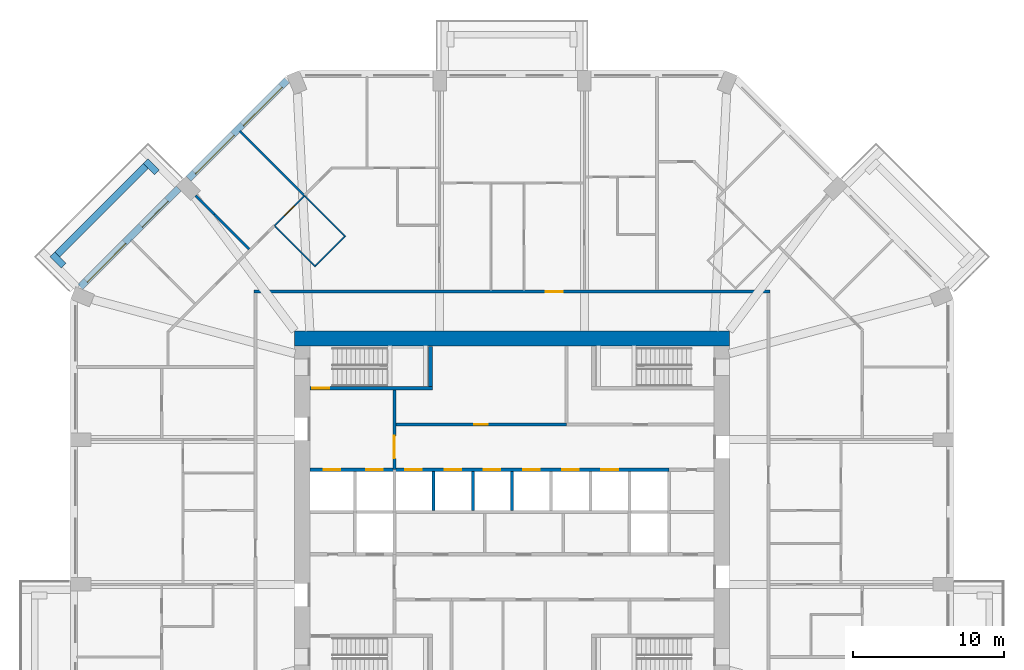
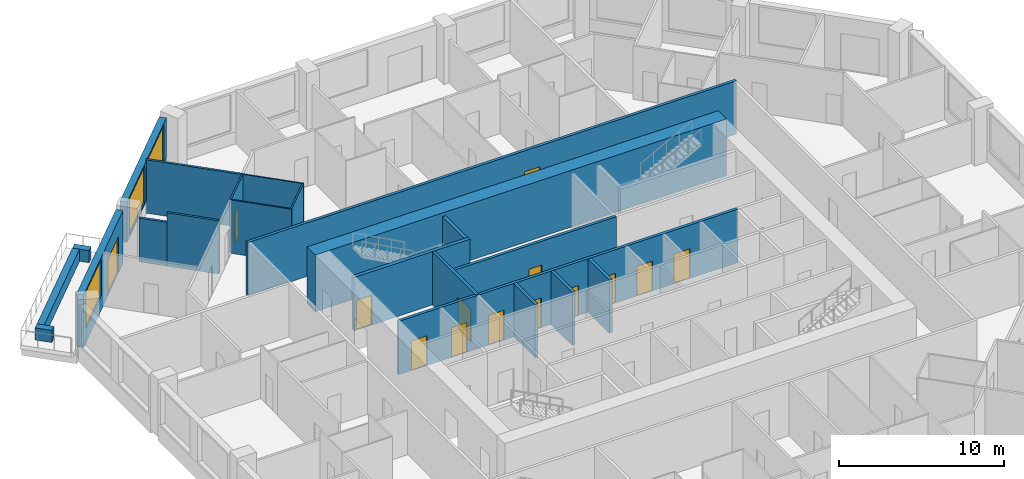
# One storey, part 8 of 13: 22 walls, 14 doors, 3 windows, 17 openings.
"""IFC4 building model written with IfcOpenShell, lengths in metres."""

from ifc_helpers import new_model, si_unit, direction, frame, frame_2d, origin, place, context, subcontext, project, spatial, rectangle, extrude, material, layer, layer_set, type_object, element, fill, save


model = new_model("IFC4")

# Units and contexts
model_context = context("Model", 3, precision=1e-05, world=origin(), true_north=direction((0.0, 1.0)))
body_context = subcontext(model_context, "Body", "Model", "MODEL_VIEW")
ifc_project = project(units=[si_unit("LENGTHUNIT", "METRE"), si_unit("AREAUNIT", "SQUARE_METRE"), si_unit("VOLUMEUNIT", "CUBIC_METRE"), si_unit("PLANEANGLEUNIT", "RADIAN"), si_unit("MASSUNIT", "GRAM", prefix="KILO")], contexts=[model_context])

# Site, building, storey
site_placement = place(None, origin())
site = spatial("IfcSite", under=ifc_project, at=site_placement, CompositionType="ELEMENT")
building_placement = place(site_placement, origin())
building = spatial("IfcBuilding", under=site, at=building_placement, Name="Msitu Wima Residences", CompositionType="ELEMENT")
storey_placement = place(building_placement, frame((0.0, 0.0, 54.89990234375)))
storey = spatial("IfcBuildingStorey", under=building, at=storey_placement, Name="L12", CompositionType="ELEMENT", Elevation=54.89990234375)

# Walls
ifc_material_1 = material(Name="Facing brick")
ifc_layer_1 = layer(ifc_material_1, 0.06494140625, Name="Facing brick")
ifc_material_2 = material(Name="Concrete C40/50", Category="concrete")
ifc_layer_2 = layer(ifc_material_2, 0.156005859375, Name="Concrete C40/50")
ifc_material_3 = material(Name="Waterproofing membrane")
ifc_layer_3 = layer(ifc_material_3, 0.00390625, Name="Waterproofing membrane")
ifc_material_4 = material(Name="Planting soil and planting")
ifc_layer_4 = layer(ifc_material_4, 0.22509765625, Name="Planting soil and planting")
ifc_layer_set_1 = layer_set([ifc_layer_1, ifc_layer_2, ifc_layer_3, ifc_layer_4], Name="Concrete C40/50")
wall_type_1 = type_object("IfcWallType", Name="Balcony planter PLANTER PL450", PredefinedType="USERDEFINED", material=ifc_layer_set_1)
wall_1_placement = place(storey_placement, frame((-24.269287109375, 22.92578125, 0.0), z_axis=(0.0, 0.0, 1.0), x_axis=(-0.707106781187, -0.707106781187, 0.0)))
element("IfcWall", 1, at=wall_1_placement, inside=storey, type_object=wall_type_1, Name="Balcony planter NW1 L12", ObjectType="PLANTER", PredefinedType="USERDEFINED", context=body_context, shape_type="SweptSolid", body=[
    extrude(rectangle(XDim=8.2822265625, YDim=0.449951171875, at=frame_2d((4.14111328125, 0.0))), origin(), (0.0, 0.0, 1.0), 0.900146484375),
])
for number, where, z_axis, x_axis, name in (
    (2, (-23.52685546875, 22.50146484375, 0.0), (0.0, 0.0, 1.0), (-0.706990528533, 0.707223014731, 0.0), "Balcony planter NW1 L12"),
    (3, (-29.70166015625, 16.326904296875, 0.0), (0.0, 0.0, 1.0), (-0.707106781187, 0.707106781187, 0.0), "Balcony planter NW1 L12"),
):
    element("IfcWall", number, at=place(storey_placement, frame(where, z_axis=z_axis, x_axis=x_axis)), inside=storey, type_object=wall_type_1, Name=name, ObjectType="PLANTER", PredefinedType="USERDEFINED", context=body_context, shape_type="SweptSolid", body=[
        extrude(rectangle(XDim=1.050048828125, YDim=0.449951171875, at=frame_2d((0.52490234375, 0.0))), origin(), (0.0, 0.0, 1.0), 0.900146484375),
    ])

# Wall, openings, windows
ifc_material_5 = material(Name="Brick (red buff mix)", Category="masonry")
ifc_layer_5 = layer(ifc_material_5, 0.449951171875)
ifc_layer_set_2 = layer_set([ifc_layer_5], Name="Brick (red buff mix)")
wall_type_2 = type_object("IfcWallType", Name="Brick infill wall BW450", PredefinedType="SOLIDWALL", material=ifc_layer_set_2)
wall_2_placement = place(storey_placement, frame((-14.903564453125, 28.61474609375, 0.900146484375), z_axis=(0.0, 0.0, 1.0), x_axis=(-0.707106781187, -0.707106781187, 0.0)))
wall_2 = element("IfcWall", 4, at=wall_2_placement, inside=storey, type_object=wall_type_2, Name="Brick infill wall L12 NW0", PredefinedType="SOLIDWALL", context=body_context, shape_type="SweptSolid", body=[
    extrude(rectangle(XDim=9.2451171875, YDim=0.449951171875, at=frame_2d((4.62255859375, 0.0))), origin(), (0.0, 0.0, 1.0), 3.0),
])
opening_1_placement = place(wall_2_placement, frame((0.572509765625, 0.0, 0.14990234375)))
opening_1 = element("IfcOpeningElement", 5, at=opening_1_placement, cuts=wall_2, Name="Opening W11-12.014", PredefinedType="OPENING", context=body_context, shape_type="SweptSolid", body=[
    extrude(rectangle(XDim=3.60009765625, YDim=2.699951171875, at=frame_2d((1.800048828125, 1.35009765625))), frame((0.0, 0.23486328125, 0.0), z_axis=(0.0, -1.0, 0.0), x_axis=(1.0, 0.0, 0.0)), (0.0, 0.0, 1.0), 0.469970703125),
])
opening_2_placement = place(wall_2_placement, frame((5.072509765625, 0.0, 0.14990234375)))
opening_2 = element("IfcOpeningElement", 6, at=opening_2_placement, cuts=wall_2, Name="Opening W11-12.015", PredefinedType="OPENING", context=body_context, shape_type="SweptSolid", body=[
    extrude(rectangle(XDim=3.60009765625, YDim=2.699951171875, at=frame_2d((1.800048828125, 1.35009765625))), frame((0.0, 0.23486328125, 0.0), z_axis=(0.0, -1.0, 0.0), x_axis=(1.0, 0.0, 0.0)), (0.0, 0.0, 1.0), 0.469970703125),
])
ifc_material_6 = material(Name="Anodised aluminium, bronze finish, clear low-emissivity double glazing", Category="aluminium")
window_type = type_object("IfcWindowType", Name="Window W3600x2700", PartitioningType="DOUBLE_PANEL_VERTICAL", PredefinedType="WINDOW", material=ifc_material_6)
window_1_placement = place(opening_1_placement, origin())
window_1 = element("IfcWindow", 7, at=window_1_placement, inside=storey, type_object=window_type, Name="Window L12 NW0.1", OverallHeight=2.699951171875, OverallWidth=3.60009765625, PartitioningType="SINGLE_PANEL", PredefinedType="WINDOW", context=body_context, shape_type="SweptSolid", body=[
    extrude(rectangle(XDim=3.60009765625, YDim=2.699951171875, at=frame_2d((1.800048828125, 1.35009765625))), frame((0.0, 0.135009765625, 0.0), z_axis=(0.0, -1.0, 0.0), x_axis=(1.0, 0.0, 0.0)), (0.0, 0.0, 1.0), 0.06005859375),
])
fill(opening_1, window_1)
window_2_placement = place(opening_2_placement, origin())
window_2 = element("IfcWindow", 8, at=window_2_placement, inside=storey, type_object=window_type, Name="Window L12 NW0.2", OverallHeight=2.699951171875, OverallWidth=3.60009765625, PartitioningType="SINGLE_PANEL", PredefinedType="WINDOW", context=body_context, shape_type="SweptSolid", body=[
    extrude(rectangle(XDim=3.60009765625, YDim=2.699951171875, at=frame_2d((1.800048828125, 1.35009765625))), frame((0.0, 0.135009765625, 0.0), z_axis=(0.0, -1.0, 0.0), x_axis=(1.0, 0.0, 0.0)), (0.0, 0.0, 1.0), 0.06005859375),
])
fill(opening_2, window_2)

# Wall, openings, door, window
wall_3_placement = place(storey_placement, frame((-22.077392578125, 21.44091796875, 0.0), z_axis=(0.0, 0.0, 1.0), x_axis=(-0.707106781187, -0.707106781187, 0.0)))
wall_3 = element("IfcWall", 9, at=wall_3_placement, inside=storey, type_object=wall_type_2, Name="Brick infill wall L12 NW1", PredefinedType="SOLIDWALL", context=body_context, shape_type="SweptSolid", body=[
    extrude(rectangle(XDim=9.2451171875, YDim=0.449951171875, at=frame_2d((4.62255859375, 0.0))), origin(), (0.0, 0.0, 1.0), 3.900146484375),
])
opening_3_placement = place(wall_3_placement, frame((1.111328125, 0.0, 0.0)))
opening_3 = element("IfcOpeningElement", 10, at=opening_3_placement, cuts=wall_3, Name="Opening D11-12.004", PredefinedType="OPENING", context=body_context, shape_type="SweptSolid", body=[
    extrude(rectangle(XDim=2.39990234375, YDim=2.699951171875, at=frame_2d((1.199951171875, 1.35009765625))), frame((0.0, 0.23486328125, 0.0), z_axis=(0.0, -1.0, 0.0), x_axis=(1.0, 0.0, 0.0)), (0.0, 0.0, 1.0), 0.469970703125),
])
opening_4_placement = place(wall_3_placement, frame((5.072509765625, 0.0, 1.050048828125)))
opening_4 = element("IfcOpeningElement", 11, at=opening_4_placement, cuts=wall_3, Name="Opening W11-12.016", PredefinedType="OPENING", context=body_context, shape_type="SweptSolid", body=[
    extrude(rectangle(XDim=3.60009765625, YDim=2.699951171875, at=frame_2d((1.800048828125, 1.35009765625))), frame((0.0, 0.23486328125, 0.0), z_axis=(0.0, -1.0, 0.0), x_axis=(1.0, 0.0, 0.0)), (0.0, 0.0, 1.0), 0.469970703125),
])
door_type_1 = type_object("IfcDoorType", Name="Balcony door D2400x2700", OperationType="SLIDING_TO_LEFT", PredefinedType="DOOR", material=ifc_material_6)
door_1_placement = place(opening_3_placement, origin())
door_1 = element("IfcDoor", 12, at=door_1_placement, inside=storey, type_object=door_type_1, Name="Balcony door L12 NW1", OperationType="SINGLE_SWING_LEFT", OverallHeight=2.699951171875, OverallWidth=2.39990234375, PredefinedType="DOOR", context=body_context, shape_type="SweptSolid", body=[
    extrude(rectangle(XDim=2.39990234375, YDim=2.699951171875, at=frame_2d((1.199951171875, 1.35009765625))), frame((0.0, 0.1298828125, 0.0), z_axis=(0.0, -1.0, 0.0), x_axis=(1.0, 0.0, 0.0)), (0.0, 0.0, 1.0), 0.050048828125),
])
fill(opening_3, door_1)
window_3_placement = place(opening_4_placement, origin())
window_3 = element("IfcWindow", 13, at=window_3_placement, inside=storey, type_object=window_type, Name="Window L12 NW1.2", OverallHeight=2.699951171875, OverallWidth=3.60009765625, PartitioningType="SINGLE_PANEL", PredefinedType="WINDOW", context=body_context, shape_type="SweptSolid", body=[
    extrude(rectangle(XDim=3.60009765625, YDim=2.699951171875, at=frame_2d((1.800048828125, 1.35009765625))), frame((0.0, 0.135009765625, 0.0), z_axis=(0.0, -1.0, 0.0), x_axis=(1.0, 0.0, 0.0)), (0.0, 0.0, 1.0), 0.06005859375),
])
fill(opening_4, window_3)

# Wall
ifc_material_7 = material(Name="Concrete C80/95", Category="concrete")
ifc_layer_6 = layer(ifc_material_7, 1.0)
ifc_layer_set_3 = layer_set([ifc_layer_6], Name="Concrete C80/95")
wall_type_3 = type_object("IfcWallType", Name="Core wall CW1000 C80/95", PredefinedType="SHEAR", material=ifc_layer_set_3)
wall_4_placement = place(storey_placement, frame((-14.39990234375, 11.5, 0.0), z_axis=(0.0, 0.0, 1.0), x_axis=(1.0, 0.0, 0.0)))
element("IfcWall", 14, at=wall_4_placement, inside=storey, type_object=wall_type_3, Name="Core wall", PredefinedType="SHEAR", context=body_context, shape_type="SweptSolid", body=[
    extrude(rectangle(XDim=28.7998046875, YDim=1.0, at=frame_2d((14.39990234375, 0.0))), origin(), (0.0, 0.0, 1.0), 4.2001953125),
])

# Wall, opening, door
ifc_material_8 = material(Name="Plaster")
ifc_layer_7 = layer(ifc_material_8, 0.011962890625, Name="Plaster")
ifc_material_9 = material(Name="Concrete blockwork", Category="masonry")
ifc_layer_8 = layer(ifc_material_9, 0.176025390625, Name="Concrete blockwork")
ifc_layer_9 = layer(ifc_material_8, 0.011962890625, Name="Plaster")
ifc_layer_set_4 = layer_set([ifc_layer_7, ifc_layer_8, ifc_layer_9], Name="Concrete blockwork")
wall_type_4 = type_object("IfcWallType", Name="Corridor wall FW200", PredefinedType="PARTITIONING", material=ifc_layer_set_4)
wall_5_placement = place(storey_placement, frame((-17.10009765625, 14.60009765625, 0.0), z_axis=(0.0, 0.0, 1.0), x_axis=(1.0, 0.0, 0.0)))
wall_5 = element("IfcWall", 15, at=wall_5_placement, inside=storey, type_object=wall_type_4, Name="Corridor wall", PredefinedType="PARTITIONING", context=body_context, shape_type="SweptSolid", body=[
    extrude(rectangle(XDim=34.2001953125, YDim=0.199951171875, at=frame_2d((17.10009765625, 0.0))), origin(), (0.0, 0.0, 1.0), 3.9501953125),
])
opening_5_placement = place(wall_5_placement, frame((19.35009765625, 0.0, 0.0)))
opening_5 = element("IfcOpeningElement", 16, at=opening_5_placement, cuts=wall_5, Name="Opening D11-12.009", PredefinedType="OPENING", context=body_context, shape_type="SweptSolid", body=[
    extrude(rectangle(XDim=1.10009765625, YDim=2.39990234375, at=frame_2d((0.550048828125, 1.199951171875))), frame((0.0, 0.10986328125, 0.0), z_axis=(0.0, -1.0, 0.0), x_axis=(1.0, 0.0, 0.0)), (0.0, 0.0, 1.0), 0.219970703125),
])
ifc_material_10 = material(Name="Timber flush door, fire resisting, self-closing", Category="wood")
door_type_2 = type_object("IfcDoorType", Name="Flat entrance door D01 1100x2400", OperationType="SINGLE_SWING_LEFT", PredefinedType="DOOR", material=ifc_material_10)
door_2_placement = place(opening_5_placement, origin())
door_2 = element("IfcDoor", 17, at=door_2_placement, inside=storey, type_object=door_type_2, Name="Flat entrance door", OperationType="SINGLE_SWING_RIGHT", OverallHeight=2.39990234375, OverallWidth=1.10009765625, PredefinedType="DOOR", context=body_context, shape_type="SweptSolid", body=[
    extrude(rectangle(XDim=1.10009765625, YDim=2.39990234375, at=frame_2d((0.550048828125, 1.199951171875))), frame((0.0, 0.02490234375, 0.0), z_axis=(0.0, -1.0, 0.0), x_axis=(1.0, 0.0, 0.0)), (0.0, 0.0, 1.0), 0.050048828125),
])
fill(opening_5, door_2)

wall_6_placement = place(storey_placement, frame((-7.800048828125, 2.800048828125, 0.0), z_axis=(0.0, 0.0, 1.0), x_axis=(0.0, 1.0, 0.0)))
wall_6 = element("IfcWall", 18, at=wall_6_placement, inside=storey, type_object=wall_type_4, Name="Corridor wall", PredefinedType="PARTITIONING", context=body_context, shape_type="SweptSolid", body=[
    extrude(rectangle(XDim=5.27490234375, YDim=0.199951171875, at=frame_2d((2.637451171875, 0.0))), origin(), (0.0, 0.0, 1.0), 3.9501953125),
])
opening_6_placement = place(wall_6_placement, frame((0.75, 0.0, 0.0)))
opening_6 = element("IfcOpeningElement", 19, at=opening_6_placement, cuts=wall_6, Name="Opening D11-12.014", PredefinedType="OPENING", context=body_context, shape_type="SweptSolid", body=[
    extrude(rectangle(XDim=1.5, YDim=2.39990234375, at=frame_2d((0.75, 1.199951171875))), frame((0.0, 0.10986328125, 0.0), z_axis=(0.0, -1.0, 0.0), x_axis=(1.0, 0.0, 0.0)), (0.0, 0.0, 1.0), 0.219970703125),
])
ifc_material_11 = material(Name="Steel framed glazed door, fire resisting", Category="steel")
door_type_3 = type_object("IfcDoorType", Name="Lobby door D07 1500x2400", OperationType="DOUBLE_DOOR_SINGLE_SWING", PredefinedType="DOOR", material=ifc_material_11)
door_3_placement = place(opening_6_placement, origin())
door_3 = element("IfcDoor", 20, at=door_3_placement, inside=storey, type_object=door_type_3, Name="Lobby door", OperationType="DOUBLE_DOOR_SINGLE_SWING", OverallHeight=2.39990234375, OverallWidth=1.5, PredefinedType="DOOR", context=body_context, shape_type="SweptSolid", body=[
    extrude(rectangle(XDim=1.5, YDim=2.39990234375, at=frame_2d((0.75, 1.199951171875))), frame((0.0, 0.02490234375, 0.0), z_axis=(0.0, -1.0, 0.0), x_axis=(1.0, 0.0, 0.0)), (0.0, 0.0, 1.0), 0.050048828125),
])
fill(opening_6, door_3)

wall_7_placement = place(storey_placement, frame((-7.699951171875, 5.800048828125, 0.0), z_axis=(0.0, 0.0, 1.0), x_axis=(1.0, 0.0, 0.0)))
wall_7 = element("IfcWall", 21, at=wall_7_placement, inside=storey, type_object=wall_type_4, Name="Corridor wall", PredefinedType="PARTITIONING", context=body_context, shape_type="SweptSolid", body=[
    extrude(rectangle(XDim=11.320068359375, YDim=0.199951171875, at=frame_2d((5.66015625, 0.0))), origin(), (0.0, 0.0, 1.0), 3.9501953125),
])
opening_7_placement = place(wall_7_placement, frame((5.199951171875, 0.0, 0.0)))
opening_7 = element("IfcOpeningElement", 22, at=opening_7_placement, cuts=wall_7, Name="Opening D11-12.017", PredefinedType="OPENING", context=body_context, shape_type="SweptSolid", body=[
    extrude(rectangle(XDim=0.89990234375, YDim=2.199951171875, at=frame_2d((0.449951171875, 1.10009765625))), frame((0.0, 0.10986328125, 0.0), z_axis=(0.0, -1.0, 0.0), x_axis=(1.0, 0.0, 0.0)), (0.0, 0.0, 1.0), 0.219970703125),
])
ifc_material_12 = material(Name="Timber flush door", Category="wood")
door_type_4 = type_object("IfcDoorType", Name="Service door D05 900x2200", OperationType="SINGLE_SWING_LEFT", PredefinedType="DOOR", material=ifc_material_12)
door_4_placement = place(opening_7_placement, origin())
door_4 = element("IfcDoor", 23, at=door_4_placement, inside=storey, type_object=door_type_4, Name="Service door", OperationType="SINGLE_SWING_LEFT", OverallHeight=2.199951171875, OverallWidth=0.89990234375, PredefinedType="DOOR", context=body_context, shape_type="SweptSolid", body=[
    extrude(rectangle(XDim=0.89990234375, YDim=2.199951171875, at=frame_2d((0.449951171875, 1.10009765625))), frame((0.0, 0.02490234375, 0.0), z_axis=(0.0, -1.0, 0.0), x_axis=(1.0, 0.0, 0.0)), (0.0, 0.0, 1.0), 0.050048828125),
])
fill(opening_7, door_4)

# Walls
ifc_layer_10 = layer(ifc_material_8, 0.011962890625, Name="Plaster")
ifc_layer_11 = layer(ifc_material_9, 0.1259765625, Name="Concrete blockwork")
ifc_layer_12 = layer(ifc_material_8, 0.011962890625, Name="Plaster")
ifc_layer_set_5 = layer_set([ifc_layer_10, ifc_layer_11, ifc_layer_12], Name="Concrete blockwork")
wall_type_5 = type_object("IfcWallType", Name="Partition PW150", PredefinedType="PARTITIONING", material=ifc_layer_set_5)
wall_8_placement = place(storey_placement, frame((-20.963623046875, 20.963623046875, 0.0), z_axis=(0.0, 0.0, 1.0), x_axis=(0.707106781187, -0.707106781187, 0.0)))
element("IfcWall", 24, at=wall_8_placement, inside=storey, type_object=wall_type_5, Name="Partition", PredefinedType="PARTITIONING", context=body_context, shape_type="SweptSolid", body=[
    extrude(rectangle(XDim=1.74853515625, YDim=0.14990234375, at=frame_2d((0.874267578125, 0.0))), origin(), (0.0, 0.0, 1.0), 3.25),
])
wall_9_placement = place(storey_placement, frame((-19.727294921875, 19.727294921875, 0.0), z_axis=(0.0, 0.0, 1.0), x_axis=(0.707106781187, -0.707106781187, 0.0)))
element("IfcWall", 25, at=wall_9_placement, inside=storey, type_object=wall_type_5, Name="Partition", PredefinedType="PARTITIONING", context=body_context, shape_type="SweptSolid", body=[
    extrude(rectangle(XDim=3.276611328125, YDim=0.14990234375, at=frame_2d((1.63818359375, 0.0))), origin(), (0.0, 0.0, 1.0), 3.9501953125),
])
wall_10_placement = place(storey_placement, frame((-18.038818359375, 25.23876953125, 0.0), z_axis=(0.0, 0.0, 1.0), x_axis=(0.707106781187, -0.707106781187, 0.0)))
element("IfcWall", 26, at=wall_10_placement, inside=storey, type_object=wall_type_5, Name="Partition", PredefinedType="PARTITIONING", context=body_context, shape_type="SweptSolid", body=[
    extrude(rectangle(XDim=6.074951171875, YDim=0.14990234375, at=frame_2d((3.03759765625, 0.0))), origin(), (0.0, 0.0, 1.0), 3.9501953125),
])

# Wall, openings, doors
ifc_material_13 = material(Name="Fire-rated board")
ifc_layer_13 = layer(ifc_material_13, 0.02490234375, Name="Fire-rated board")
ifc_material_14 = material(Name="Light-gauge stud framing with mineral wool")
ifc_layer_14 = layer(ifc_material_14, 0.14990234375, Name="Light-gauge stud framing with mineral wool")
ifc_layer_15 = layer(ifc_material_13, 0.02490234375, Name="Fire-rated board")
ifc_layer_set_6 = layer_set([ifc_layer_13, ifc_layer_14, ifc_layer_15], Name="Light-gauge stud framing with mineral wool")
wall_type_6 = type_object("IfcWallType", Name="Shaft wall SH200", PredefinedType="PARTITIONING", material=ifc_layer_set_6)
wall_11_placement = place(storey_placement, frame((-13.3701171875, 2.800048828125, 0.0), z_axis=(0.0, 0.0, 1.0), x_axis=(1.0, 0.0, 0.0)))
wall_11 = element("IfcWall", 27, at=wall_11_placement, inside=storey, type_object=wall_type_6, Name="Shaft wall", PredefinedType="PARTITIONING", context=body_context, shape_type="SweptSolid", body=[
    extrude(rectangle(XDim=23.77001953125, YDim=0.199951171875, at=frame_2d((11.885009765625, 0.0))), origin(), (0.0, 0.0, 1.0), 3.9501953125),
])
opening_8_placement = place(wall_11_placement, frame((0.89990234375, 0.0, 0.0)))
opening_8 = element("IfcOpeningElement", 28, at=opening_8_placement, cuts=wall_11, Name="Opening LD", PredefinedType="OPENING", context=body_context, shape_type="SweptSolid", body=[
    extrude(rectangle(XDim=1.10009765625, YDim=2.199951171875, at=frame_2d((0.550048828125, 1.10009765625))), frame((0.0, 0.10986328125, 0.0), z_axis=(0.0, -1.0, 0.0), x_axis=(1.0, 0.0, 0.0)), (0.0, 0.0, 1.0), 0.219970703125),
])
opening_9_placement = place(wall_11_placement, frame((3.699951171875, 0.0, 0.0)))
opening_9 = element("IfcOpeningElement", 29, at=opening_9_placement, cuts=wall_11, Name="Opening LD", PredefinedType="OPENING", context=body_context, shape_type="SweptSolid", body=[
    extrude(rectangle(XDim=1.10009765625, YDim=2.199951171875, at=frame_2d((0.550048828125, 1.10009765625))), frame((0.0, 0.10986328125, 0.0), z_axis=(0.0, -1.0, 0.0), x_axis=(1.0, 0.0, 0.0)), (0.0, 0.0, 1.0), 0.219970703125),
])
opening_10_placement = place(wall_11_placement, frame((6.300048828125, 0.0, 0.0)))
opening_10 = element("IfcOpeningElement", 30, at=opening_10_placement, cuts=wall_11, Name="Opening LD", PredefinedType="OPENING", context=body_context, shape_type="SweptSolid", body=[
    extrude(rectangle(XDim=1.10009765625, YDim=2.199951171875, at=frame_2d((0.550048828125, 1.10009765625))), frame((0.0, 0.10986328125, 0.0), z_axis=(0.0, -1.0, 0.0), x_axis=(1.0, 0.0, 0.0)), (0.0, 0.0, 1.0), 0.219970703125),
])
opening_11_placement = place(wall_11_placement, frame((8.89990234375, 0.0, 0.0)))
opening_11 = element("IfcOpeningElement", 31, at=opening_11_placement, cuts=wall_11, Name="Opening LD", PredefinedType="OPENING", context=body_context, shape_type="SweptSolid", body=[
    extrude(rectangle(XDim=1.10009765625, YDim=2.199951171875, at=frame_2d((0.550048828125, 1.10009765625))), frame((0.0, 0.10986328125, 0.0), z_axis=(0.0, -1.0, 0.0), x_axis=(1.0, 0.0, 0.0)), (0.0, 0.0, 1.0), 0.219970703125),
])
opening_12_placement = place(wall_11_placement, frame((11.5, 0.0, 0.0)))
opening_12 = element("IfcOpeningElement", 32, at=opening_12_placement, cuts=wall_11, Name="Opening LD", PredefinedType="OPENING", context=body_context, shape_type="SweptSolid", body=[
    extrude(rectangle(XDim=1.10009765625, YDim=2.199951171875, at=frame_2d((0.550048828125, 1.10009765625))), frame((0.0, 0.10986328125, 0.0), z_axis=(0.0, -1.0, 0.0), x_axis=(1.0, 0.0, 0.0)), (0.0, 0.0, 1.0), 0.219970703125),
])
opening_13_placement = place(wall_11_placement, frame((14.10009765625, 0.0, 0.0)))
opening_13 = element("IfcOpeningElement", 33, at=opening_13_placement, cuts=wall_11, Name="Opening LD", PredefinedType="OPENING", context=body_context, shape_type="SweptSolid", body=[
    extrude(rectangle(XDim=1.10009765625, YDim=2.199951171875, at=frame_2d((0.550048828125, 1.10009765625))), frame((0.0, 0.10986328125, 0.0), z_axis=(0.0, -1.0, 0.0), x_axis=(1.0, 0.0, 0.0)), (0.0, 0.0, 1.0), 0.219970703125),
])
opening_14_placement = place(wall_11_placement, frame((16.699951171875, 0.0, 0.0)))
opening_14 = element("IfcOpeningElement", 34, at=opening_14_placement, cuts=wall_11, Name="Opening LD", PredefinedType="OPENING", context=body_context, shape_type="SweptSolid", body=[
    extrude(rectangle(XDim=1.10009765625, YDim=2.199951171875, at=frame_2d((0.550048828125, 1.10009765625))), frame((0.0, 0.10986328125, 0.0), z_axis=(0.0, -1.0, 0.0), x_axis=(1.0, 0.0, 0.0)), (0.0, 0.0, 1.0), 0.219970703125),
])
opening_15_placement = place(wall_11_placement, frame((19.300048828125, 0.0, 0.0)))
opening_15 = element("IfcOpeningElement", 35, at=opening_15_placement, cuts=wall_11, Name="Opening LD", PredefinedType="OPENING", context=body_context, shape_type="SweptSolid", body=[
    extrude(rectangle(XDim=1.10009765625, YDim=2.199951171875, at=frame_2d((0.550048828125, 1.10009765625))), frame((0.0, 0.10986328125, 0.0), z_axis=(0.0, -1.0, 0.0), x_axis=(1.0, 0.0, 0.0)), (0.0, 0.0, 1.0), 0.219970703125),
])
ifc_material_15 = material(Name="Stainless steel centre-opening landing door, rated", Category="steel")
door_type_5 = type_object("IfcDoorType", Name="Lift landing door LD 1100x2200", OperationType="DOUBLE_DOOR_SLIDING", PredefinedType="DOOR", material=ifc_material_15)
door_5_placement = place(opening_8_placement, origin())
door_5 = element("IfcDoor", 36, at=door_5_placement, inside=storey, type_object=door_type_5, Name="Lift landing door LD1", OperationType="DOUBLE_DOOR_SLIDING", OverallHeight=2.199951171875, OverallWidth=1.10009765625, PredefinedType="DOOR", context=body_context, shape_type="SweptSolid", body=[
    extrude(rectangle(XDim=1.10009765625, YDim=2.199951171875, at=frame_2d((0.550048828125, 1.10009765625))), frame((0.0, 0.02490234375, 0.0), z_axis=(0.0, -1.0, 0.0), x_axis=(1.0, 0.0, 0.0)), (0.0, 0.0, 1.0), 0.050048828125),
])
fill(opening_8, door_5)
door_6_placement = place(opening_9_placement, origin())
door_6 = element("IfcDoor", 37, at=door_6_placement, inside=storey, type_object=door_type_5, Name="Lift landing door LD2", OperationType="DOUBLE_DOOR_SLIDING", OverallHeight=2.199951171875, OverallWidth=1.10009765625, PredefinedType="DOOR", context=body_context, shape_type="SweptSolid", body=[
    extrude(rectangle(XDim=1.10009765625, YDim=2.199951171875, at=frame_2d((0.550048828125, 1.10009765625))), frame((0.0, 0.02490234375, 0.0), z_axis=(0.0, -1.0, 0.0), x_axis=(1.0, 0.0, 0.0)), (0.0, 0.0, 1.0), 0.050048828125),
])
fill(opening_9, door_6)
door_7_placement = place(opening_10_placement, origin())
door_7 = element("IfcDoor", 38, at=door_7_placement, inside=storey, type_object=door_type_5, Name="Lift landing door LD4", OperationType="DOUBLE_DOOR_SLIDING", OverallHeight=2.199951171875, OverallWidth=1.10009765625, PredefinedType="DOOR", context=body_context, shape_type="SweptSolid", body=[
    extrude(rectangle(XDim=1.10009765625, YDim=2.199951171875, at=frame_2d((0.550048828125, 1.10009765625))), frame((0.0, 0.02490234375, 0.0), z_axis=(0.0, -1.0, 0.0), x_axis=(1.0, 0.0, 0.0)), (0.0, 0.0, 1.0), 0.050048828125),
])
fill(opening_10, door_7)
door_8_placement = place(opening_11_placement, origin())
door_8 = element("IfcDoor", 39, at=door_8_placement, inside=storey, type_object=door_type_5, Name="Lift landing door LD6", OperationType="DOUBLE_DOOR_SLIDING", OverallHeight=2.199951171875, OverallWidth=1.10009765625, PredefinedType="DOOR", context=body_context, shape_type="SweptSolid", body=[
    extrude(rectangle(XDim=1.10009765625, YDim=2.199951171875, at=frame_2d((0.550048828125, 1.10009765625))), frame((0.0, 0.02490234375, 0.0), z_axis=(0.0, -1.0, 0.0), x_axis=(1.0, 0.0, 0.0)), (0.0, 0.0, 1.0), 0.050048828125),
])
fill(opening_11, door_8)
door_9_placement = place(opening_12_placement, origin())
door_9 = element("IfcDoor", 40, at=door_9_placement, inside=storey, type_object=door_type_5, Name="Lift landing door LD8", OperationType="DOUBLE_DOOR_SLIDING", OverallHeight=2.199951171875, OverallWidth=1.10009765625, PredefinedType="DOOR", context=body_context, shape_type="SweptSolid", body=[
    extrude(rectangle(XDim=1.10009765625, YDim=2.199951171875, at=frame_2d((0.550048828125, 1.10009765625))), frame((0.0, 0.02490234375, 0.0), z_axis=(0.0, -1.0, 0.0), x_axis=(1.0, 0.0, 0.0)), (0.0, 0.0, 1.0), 0.050048828125),
])
fill(opening_12, door_9)
door_10_placement = place(opening_13_placement, origin())
door_10 = element("IfcDoor", 41, at=door_10_placement, inside=storey, type_object=door_type_5, Name="Lift landing door LD10", OperationType="DOUBLE_DOOR_SLIDING", OverallHeight=2.199951171875, OverallWidth=1.10009765625, PredefinedType="DOOR", context=body_context, shape_type="SweptSolid", body=[
    extrude(rectangle(XDim=1.10009765625, YDim=2.199951171875, at=frame_2d((0.550048828125, 1.10009765625))), frame((0.0, 0.02490234375, 0.0), z_axis=(0.0, -1.0, 0.0), x_axis=(1.0, 0.0, 0.0)), (0.0, 0.0, 1.0), 0.050048828125),
])
fill(opening_13, door_10)
door_11_placement = place(opening_14_placement, origin())
door_11 = element("IfcDoor", 42, at=door_11_placement, inside=storey, type_object=door_type_5, Name="Lift landing door LD12", OperationType="DOUBLE_DOOR_SLIDING", OverallHeight=2.199951171875, OverallWidth=1.10009765625, PredefinedType="DOOR", context=body_context, shape_type="SweptSolid", body=[
    extrude(rectangle(XDim=1.10009765625, YDim=2.199951171875, at=frame_2d((0.550048828125, 1.10009765625))), frame((0.0, 0.02490234375, 0.0), z_axis=(0.0, -1.0, 0.0), x_axis=(1.0, 0.0, 0.0)), (0.0, 0.0, 1.0), 0.050048828125),
])
fill(opening_14, door_11)
door_12_placement = place(opening_15_placement, origin())
door_12 = element("IfcDoor", 43, at=door_12_placement, inside=storey, type_object=door_type_5, Name="Lift landing door LD14", OperationType="DOUBLE_DOOR_SLIDING", OverallHeight=2.199951171875, OverallWidth=1.10009765625, PredefinedType="DOOR", context=body_context, shape_type="SweptSolid", body=[
    extrude(rectangle(XDim=1.10009765625, YDim=2.199951171875, at=frame_2d((0.550048828125, 1.10009765625))), frame((0.0, 0.02490234375, 0.0), z_axis=(0.0, -1.0, 0.0), x_axis=(1.0, 0.0, 0.0)), (0.0, 0.0, 1.0), 0.050048828125),
])
fill(opening_15, door_12)

# Walls
for number, where, z_axis, x_axis, name in (
    (44, (-5.199951171875, 0.10009765625, 0.0), (0.0, 0.0, 1.0), (0.0, 1.0, 0.0), "Shaft wall"),
    (45, (-2.60009765625, 0.10009765625, 0.0), (0.0, 0.0, 1.0), (0.0, 1.0, 0.0), "Shaft wall"),
    (46, (0.0, 0.10009765625, 0.0), (0.0, 0.0, 1.0), (0.0, 1.0, 0.0), "Shaft wall"),
):
    element("IfcWall", number, at=place(storey_placement, frame(where, z_axis=z_axis, x_axis=x_axis)), inside=storey, type_object=wall_type_6, Name=name, PredefinedType="PARTITIONING", context=body_context, shape_type="SweptSolid", body=[
        extrude(rectangle(XDim=2.599853515625, YDim=0.199951171875, at=frame_2d((1.2998046875, 0.0))), origin(), (0.0, 0.0, 1.0), 3.9501953125),
    ])

# Wall, opening, door
ifc_material_16 = material(Name="Concrete C50/60", Category="concrete")
ifc_layer_16 = layer(ifc_material_16, 0.25)
ifc_layer_set_7 = layer_set([ifc_layer_16], Name="Concrete C50/60")
wall_type_7 = type_object("IfcWallType", Name="Stair enclosure wall SW250", PredefinedType="SHEAR", material=ifc_layer_set_7)
wall_12_placement = place(storey_placement, frame((-13.3701171875, 8.199951171875, 0.0), z_axis=(0.0, 0.0, 1.0), x_axis=(1.0, 0.0, 0.0)))
wall_12 = element("IfcWall", 47, at=wall_12_placement, inside=storey, type_object=wall_type_7, Name="Stair enclosure wall", PredefinedType="SHEAR", context=body_context, shape_type="SweptSolid", body=[
    extrude(rectangle(XDim=8.09521484375, YDim=0.25, at=frame_2d((4.047607421875, 0.0))), origin(), (0.0, 0.0, 1.0), 3.9501953125),
])
opening_16_placement = place(wall_12_placement, frame((0.14990234375, 0.0, 0.0)))
opening_16 = element("IfcOpeningElement", 48, at=opening_16_placement, cuts=wall_12, Name="Opening D11-12.032", PredefinedType="OPENING", context=body_context, shape_type="SweptSolid", body=[
    extrude(rectangle(XDim=1.10009765625, YDim=2.199951171875, at=frame_2d((0.550048828125, 1.10009765625))), frame((0.0, 0.135009765625, 0.0), z_axis=(0.0, -1.0, 0.0), x_axis=(1.0, 0.0, 0.0)), (0.0, 0.0, 1.0), 0.27001953125),
])
ifc_material_17 = material(Name="Steel door, fire resisting, panic bar", Category="steel")
door_type_6 = type_object("IfcDoorType", Name="Stair door D06 1100x2200", OperationType="SINGLE_SWING_LEFT", PredefinedType="DOOR", material=ifc_material_17)
door_13_placement = place(opening_16_placement, origin())
door_13 = element("IfcDoor", 49, at=door_13_placement, inside=storey, type_object=door_type_6, Name="Stair door", OperationType="SINGLE_SWING_LEFT", OverallHeight=2.199951171875, OverallWidth=1.10009765625, PredefinedType="DOOR", context=body_context, shape_type="SweptSolid", body=[
    extrude(rectangle(XDim=1.10009765625, YDim=2.199951171875, at=frame_2d((0.550048828125, 1.10009765625))), frame((0.0, 0.02490234375, 0.0), z_axis=(0.0, -1.0, 0.0), x_axis=(1.0, 0.0, 0.0)), (0.0, 0.0, 1.0), 0.050048828125),
])
fill(opening_16, door_13)

# Wall
wall_13_placement = place(storey_placement, frame((-5.39990234375, 8.324951171875, 0.0), z_axis=(0.0, 0.0, 1.0), x_axis=(0.0, 1.0, 0.0)))
element("IfcWall", 50, at=wall_13_placement, inside=storey, type_object=wall_type_7, Name="Stair enclosure wall", PredefinedType="SHEAR", context=body_context, shape_type="SweptSolid", body=[
    extrude(rectangle(XDim=2.64501953125, YDim=0.25, at=frame_2d((1.322509765625, 0.0))), origin(), (0.0, 0.0, 1.0), 3.9501953125),
])

# Wall, opening, door
ifc_material_18 = material(Name="Ceramic tiles")
ifc_layer_17 = layer(ifc_material_18, 0.008056640625, Name="Ceramic tiles")
ifc_material_19 = material(Name="Moisture-resistant board")
ifc_layer_18 = layer(ifc_material_19, 0.012451171875, Name="Moisture-resistant board")
ifc_layer_19 = layer(ifc_material_14, 0.06689453125, Name="Light-gauge stud framing with mineral wool")
ifc_layer_20 = layer(ifc_material_19, 0.012451171875, Name="Moisture-resistant board")
ifc_layer_set_8 = layer_set([ifc_layer_17, ifc_layer_18, ifc_layer_19, ifc_layer_20], Name="Light-gauge stud framing with mineral wool")
wall_type_8 = type_object("IfcWallType", Name="Wet wall PW100", PredefinedType="PARTITIONING", material=ifc_layer_set_8)
wall_14_placement = place(storey_placement, frame((-15.7373046875, 18.9775390625, 0.0), z_axis=(0.0, 0.0, 1.0), x_axis=(0.707150067696, 0.707063492027, 0.0)))
wall_14 = element("IfcWall", 51, at=wall_14_placement, inside=storey, type_object=wall_type_8, Name="Wet wall", PredefinedType="PARTITIONING", context=body_context, shape_type="SweptSolid", body=[
    extrude(rectangle(XDim=2.820068359375, YDim=0.10009765625, at=frame_2d((1.41015625, 0.0))), origin(), (0.0, 0.0, 1.0), 3.9501953125),
])
opening_17_placement = place(wall_14_placement, frame((0.949951171875, 0.0, 0.0)))
opening_17 = element("IfcOpeningElement", 52, at=opening_17_placement, cuts=wall_14, Name="Opening D11-12.052", PredefinedType="OPENING", context=body_context, shape_type="SweptSolid", body=[
    extrude(rectangle(XDim=0.89990234375, YDim=2.199951171875, at=frame_2d((0.449951171875, 1.10009765625))), frame((0.0, 0.06005859375, 0.0), z_axis=(0.0, -1.0, 0.0), x_axis=(1.0, 0.0, 0.0)), (0.0, 0.0, 1.0), 0.1201171875),
])
ifc_material_20 = material(Name="Timber flush door, moisture resistant", Category="wood")
door_type_7 = type_object("IfcDoorType", Name="Bathroom door D03 900x2200", OperationType="SINGLE_SWING_LEFT", PredefinedType="DOOR", material=ifc_material_20)
door_14_placement = place(opening_17_placement, origin())
door_14 = element("IfcDoor", 53, at=door_14_placement, inside=storey, type_object=door_type_7, Name="Bathroom door", OperationType="SINGLE_SWING_RIGHT", OverallHeight=2.199951171875, OverallWidth=0.89990234375, PredefinedType="DOOR", context=body_context, shape_type="SweptSolid", body=[
    extrude(rectangle(XDim=0.89990234375, YDim=2.199951171875, at=frame_2d((0.449951171875, 1.10009765625))), frame((0.0, 0.02490234375, 0.0), z_axis=(0.0, -1.0, 0.0), x_axis=(1.0, 0.0, 0.0)), (0.0, 0.0, 1.0), 0.050048828125),
])
fill(opening_17, door_14)

# Walls
wall_15_placement = place(storey_placement, frame((-15.701904296875, 18.942138671875, 0.0), z_axis=(0.0, 0.0, 1.0), x_axis=(0.707106781187, -0.707106781187, 0.0)))
element("IfcWall", 54, at=wall_15_placement, inside=storey, type_object=wall_type_8, Name="Wet wall", PredefinedType="PARTITIONING", context=body_context, shape_type="SweptSolid", body=[
    extrude(rectangle(XDim=3.800048828125, YDim=0.10009765625, at=frame_2d((1.89990234375, 0.0))), origin(), (0.0, 0.0, 1.0), 3.9501953125),
])
wall_16_placement = place(storey_placement, frame((-13.7431640625, 20.943115234375, 0.0), z_axis=(0.0, 0.0, 1.0), x_axis=(0.707138653661, -0.707074907275, 0.0)))
element("IfcWall", 55, at=wall_16_placement, inside=storey, type_object=wall_type_8, Name="Wet wall", PredefinedType="PARTITIONING", context=body_context, shape_type="SweptSolid", body=[
    extrude(rectangle(XDim=3.829833984375, YDim=0.10009765625, at=frame_2d((1.9150390625, 0.0))), origin(), (0.0, 0.0, 1.0), 3.9501953125),
])
wall_17_placement = place(storey_placement, frame((-13.014892578125, 16.325927734375, 0.0), z_axis=(0.0, 0.0, 1.0), x_axis=(0.707106781187, 0.707106781187, 0.0)))
element("IfcWall", 56, at=wall_17_placement, inside=storey, type_object=wall_type_8, Name="Wet wall", PredefinedType="PARTITIONING", context=body_context, shape_type="SweptSolid", body=[
    extrude(rectangle(XDim=2.699951171875, YDim=0.10009765625, at=frame_2d((1.35009765625, 0.0))), origin(), (0.0, 0.0, 1.0), 3.9501953125),
])

save(model, "model.ifc")
